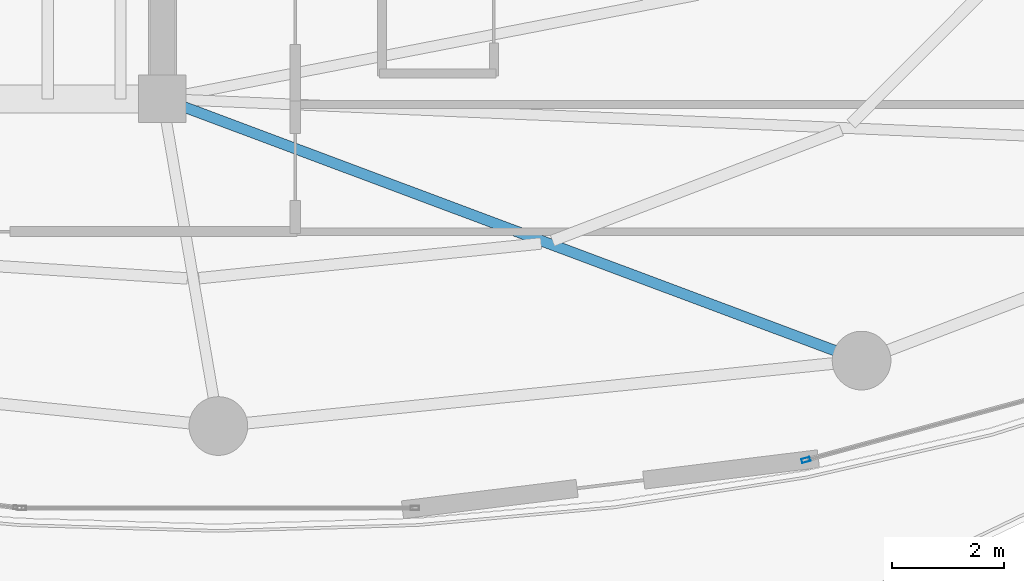
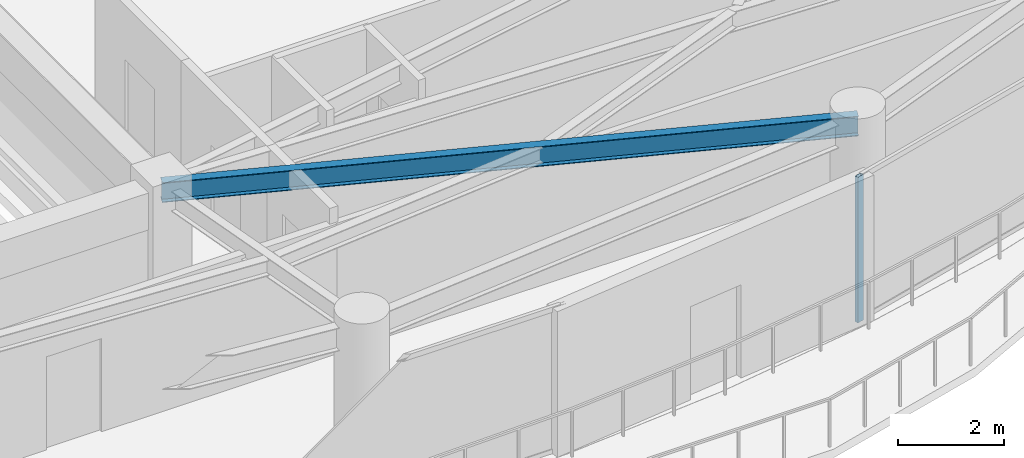
# One storey, part 11 of 31: 1 beam, 1 member, 1 element without a shape of its own.
"""IFC4 building model written with IfcOpenShell, lengths in metres."""

from ifc_helpers import new_model, si_unit, direction, frame, origin, origin_2d, place, context, subcontext, project, spatial, hollow_rectangle, i_section, extrude, material, layer, layer_set, material_profile, profile_set, type_object, element, aggregate, save


model = new_model("IFC4")

# Units and contexts
model_context = context("Model", 3, precision=1e-05, world=origin(), true_north=direction((0.0, 1.0)))
body_context = subcontext(model_context, "Body", "Model", "MODEL_VIEW")
ifc_project = project(units=[si_unit("LENGTHUNIT", "METRE"), si_unit("AREAUNIT", "SQUARE_METRE"), si_unit("VOLUMEUNIT", "CUBIC_METRE"), si_unit("PLANEANGLEUNIT", "RADIAN"), si_unit("MASSUNIT", "GRAM", prefix="KILO")], contexts=[model_context])

# Site, building, storey
site_placement = place(None, origin())
site = spatial("IfcSite", under=ifc_project, at=site_placement, CompositionType="ELEMENT")
building_placement = place(site_placement, origin())
building = spatial("IfcBuilding", under=site, at=building_placement, Name="Kazevale Care Tower and Concert Hall", CompositionType="ELEMENT")
storey_placement = place(building_placement, frame((0.0, 0.0, 217.199951171875)))
storey = spatial("IfcBuildingStorey", under=building, at=storey_placement, Name="L57", CompositionType="ELEMENT", Elevation=217.199951171875)

# Curtain wall, member
ifc_material_1 = material(Name="Aluminium 6063-T6 and Low-E Glass", Category="aluminium")
ifc_layer = layer(ifc_material_1, 0.179931640625)
ifc_layer_set = layer_set([ifc_layer], Name="Aluminium 6063-T6 and Low-E Glass")
curtain_wall_type = type_object("IfcCurtainWallType", Name="Sheltered Concave Balcony Curtain Wall CW-5", PredefinedType="NOTDEFINED", material=ifc_layer_set)
curtain_wall_placement = place(storey_placement, origin())
curtain_wall = element("IfcCurtainWall", 1, at=curtain_wall_placement, inside=storey, type_object=curtain_wall_type, Name="cw:L57:f04", PredefinedType="NOTDEFINED")
ifc_material_2 = material(Name="Aluminium 6063-T6", Category="aluminium")
ifc_material_profile_1 = material_profile(ifc_material_2, hollow_rectangle(XDim=0.074951171875, YDim=0.14990234375, WallThickness=0.00390625, at=origin_2d()), Name="ALU75x150x4")
ifc_profile_set_1 = profile_set([ifc_material_profile_1], Name="Aluminium 6063-T6")
member_type = type_object("IfcMemberType", Name="CW-5 Mullion ALU75x150x4", PredefinedType="MULLION", material=ifc_profile_set_1)
member_placement = place(storey_placement, frame((55.505126953125, 17.142822265625, 0.0), z_axis=(0.0, 0.0, 1.0), x_axis=(0.262848968947, -0.964836991167, 0.0)))
member = element("IfcMember", 2, at=member_placement, type_object=member_type, Name="CW-5 mullion 2", PredefinedType="MULLION", context=body_context, shape_type="SweptSolid", body=[
    extrude(hollow_rectangle(XDim=0.074951171875, YDim=0.14990234375, WallThickness=0.00390625, at=origin_2d()), origin(), (0.0, 0.0, 1.0), 3.360107421875),
])
aggregate(curtain_wall, [member])

# Beam
ifc_material_3 = material(Name="Steel ASTM A572 Gr 50", Category="steel")
ifc_material_profile_2 = material_profile(ifc_material_3, i_section(OverallWidth=0.19091796875, OverallDepth=0.4599609375, WebThickness=0.010009765625, FlangeThickness=0.01611328125, at=origin_2d()), Name="W460x82")
ifc_profile_set_2 = profile_set([ifc_material_profile_2], Name="Steel ASTM A572 Gr 50")
beam_type = type_object("IfcBeamType", Name="Radial Floor Beam W460x82", PredefinedType="BEAM", material=ifc_profile_set_2)
beam_placement = place(storey_placement, frame((44.0, 23.60009765625, 3.130126953125), z_axis=(0.936509460339, -0.350642311615, 0.0), x_axis=(0.350642311615, 0.936509460339, 0.0)))
element("IfcBeam", 3, at=beam_placement, inside=storey, type_object=beam_type, Name="beam:L57:rad:14", PredefinedType="BEAM", context=body_context, shape_type="SweptSolid", body=[
    extrude(i_section(OverallWidth=0.19091796875, OverallDepth=0.4599609375, WebThickness=0.010009765625, FlangeThickness=0.01611328125, at=origin_2d()), origin(), (0.0, 0.0, 1.0), 13.347412109375),
])

save(model, "model.ifc")
